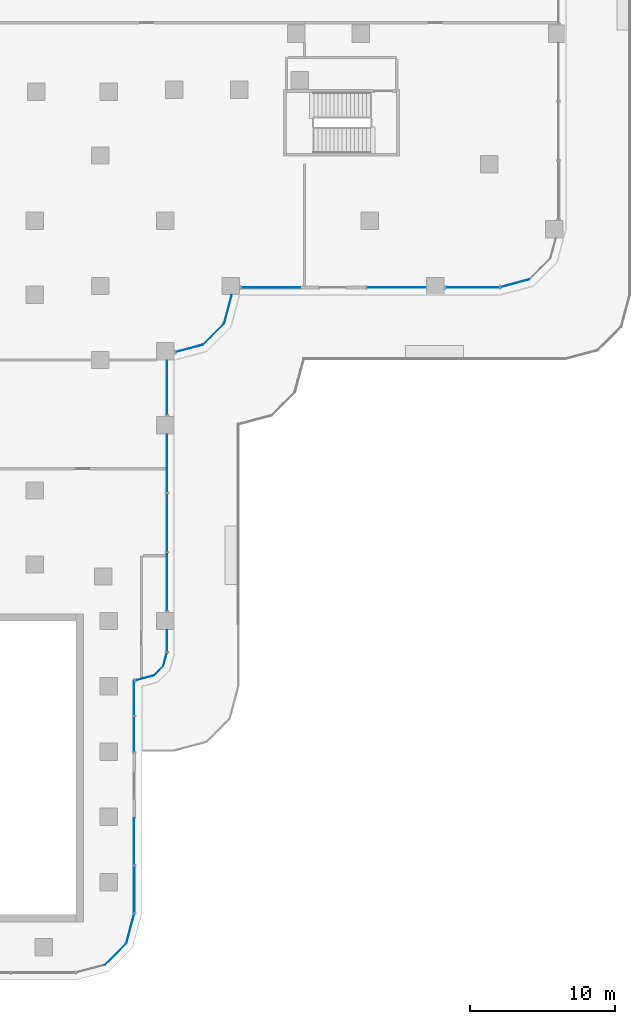
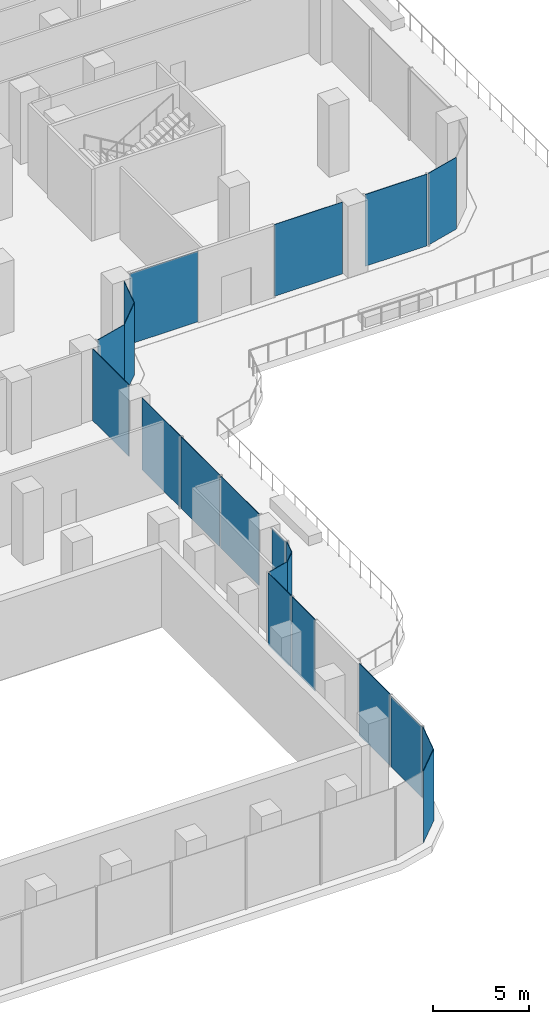
# One storey, part 13 of 29: 21 plates, 12 elements without a shape of their own.
"""IFC4 building model written with IfcOpenShell, lengths in metres."""

from ifc_helpers import new_model, si_unit, direction, frame, origin, place, context, subcontext, project, spatial, polyline, outline, extrude, source, transform, mapped, material, layer, layer_set, type_object, element, aggregate, save


model = new_model("IFC4")

# Units and contexts
model_context = context("Model", 3, precision=1e-05, world=origin(), true_north=direction((0.0, 1.0)))
body_context = subcontext(model_context, "Body", "Model", "MODEL_VIEW")
ifc_project = project(units=[si_unit("LENGTHUNIT", "METRE"), si_unit("AREAUNIT", "SQUARE_METRE"), si_unit("VOLUMEUNIT", "CUBIC_METRE"), si_unit("PLANEANGLEUNIT", "RADIAN"), si_unit("MASSUNIT", "GRAM", prefix="KILO")], contexts=[model_context])

# Site, building, storey
site_placement = place(None, origin())
site = spatial("IfcSite", under=ifc_project, at=site_placement, CompositionType="ELEMENT")
building_placement = place(site_placement, origin())
building = spatial("IfcBuilding", under=site, at=building_placement, Name="Zarbagh Exchange Tower", CompositionType="ELEMENT")
storey_placement = place(building_placement, frame((0.0, 0.0, 12.0)))
storey = spatial("IfcBuildingStorey", under=building, at=storey_placement, Name="L02", CompositionType="ELEMENT", Elevation=12.0)

# Curtain wall, plate
ifc_material_1 = material(Name="Anodised aluminium frame and glazing", Category="aluminium")
curtain_wall_type_1 = type_object("IfcCurtainWallType", Name="CWD Exchange hall wall glazing", PredefinedType="NOTDEFINED", material=ifc_material_1)
curtain_wall_1_placement = place(storey_placement, origin())
curtain_wall_1 = element("IfcCurtainWall", 1, at=curtain_wall_1_placement, inside=storey, type_object=curtain_wall_type_1, Name="CWD02 curtain wall", PredefinedType="NOTDEFINED")
ifc_material_2 = material(Name="Low-e double glazed unit, 6+12+6 mm")
ifc_layer_1 = layer(ifc_material_2, 0.035888671875)
ifc_layer_set_1 = layer_set([ifc_layer_1], Name="PAD Glazing panel, Low-e double glazed unit, 6+12+6 mm")
plate_type_1 = type_object("IfcPlateType", Name="PAD Glazing panel, Low-e double glazed unit, 6+12+6 mm", PredefinedType="CURTAIN_PANEL", material=ifc_layer_set_1)
shared_shape_1 = source(origin(), body_context, "Body", "SweptSolid", [
    extrude(outline(polyline([(0.0, -0.01806640625), (2.061279296875, -0.01806640625), (2.061279296875, 0.01806640625), (0.0, 0.01806640625), (0.0, -0.01806640625)])), origin(), (0.0, 0.0, 1.0), 4.550048828125),
])
placement = place(storey_placement, origin())
plate_1 = element("IfcPlate", 2, at=placement, type_object=plate_type_1, Name="CWD02 glazing panel 1.1", PredefinedType="CURTAIN_PANEL", context=body_context, shape_type="MappedRepresentation", body=[
    mapped(shared_shape_1, transform((15.4912109375, -66.44873046875, 0.0), x_axis=(0.707106781187, 0.707106781187, 0.0), y_axis=(-0.707106781187, 0.707106781187, 0.0), z_axis=(0.0, 0.0, 1.0))),
])
aggregate(curtain_wall_1, [plate_1])

curtain_wall_2_placement = place(storey_placement, origin())
curtain_wall_2 = element("IfcCurtainWall", 3, at=curtain_wall_2_placement, inside=storey, type_object=curtain_wall_type_1, Name="CWD03 curtain wall", PredefinedType="NOTDEFINED")
shared_shape_2 = source(origin(), body_context, "Body", "SweptSolid", [
    extrude(outline(polyline([(0.0, -0.01806640625), (2.129638671875, -0.01806640625), (2.129638671875, 0.01806640625), (0.0, 0.01806640625), (0.0, -0.01806640625)])), origin(), (0.0, 0.0, 1.0), 4.550048828125),
])
plate_2 = element("IfcPlate", 4, at=placement, type_object=plate_type_1, Name="CWD03 glazing panel 1.1", PredefinedType="CURTAIN_PANEL", context=body_context, shape_type="MappedRepresentation", body=[
    mapped(shared_shape_2, transform((16.94873046875, -64.9912109375, 0.0), x_axis=(0.258824779902, 0.965924289636, 0.0), y_axis=(-0.965924289636, 0.258824779902, 0.0), z_axis=(0.0, 0.0, 1.0))),
])
aggregate(curtain_wall_2, [plate_2])

curtain_wall_type_2 = type_object("IfcCurtainWallType", Name="CWC Podium garden-wall glazing", PredefinedType="NOTDEFINED", material=ifc_material_1)
curtain_wall_3_placement = place(storey_placement, origin())
curtain_wall_3 = element("IfcCurtainWall", 5, at=curtain_wall_3_placement, inside=storey, type_object=curtain_wall_type_2, Name="CWC107 curtain wall", PredefinedType="NOTDEFINED")
ifc_layer_2 = layer(ifc_material_2, 0.031982421875)
ifc_layer_set_2 = layer_set([ifc_layer_2], Name="PAC Glazing panel, Low-e double glazed unit, 6+12+6 mm")
plate_type_2 = type_object("IfcPlateType", Name="PAC Glazing panel, Low-e double glazed unit, 6+12+6 mm", PredefinedType="CURTAIN_PANEL", material=ifc_layer_set_2)
shared_shape_3 = source(origin(), body_context, "Body", "SweptSolid", [
    extrude(outline(polyline([(0.0, -0.01611328125), (2.049560546875, -0.01611328125), (2.049560546875, 0.01611328125), (0.0, 0.01611328125), (0.0, -0.01611328125)])), origin(), (0.0, 0.0, 1.0), 4.550048828125),
])
plate_3 = element("IfcPlate", 6, at=placement, type_object=plate_type_2, Name="CWC107 glazing panel 1.1", PredefinedType="CURTAIN_PANEL", context=body_context, shape_type="MappedRepresentation", body=[
    mapped(shared_shape_3, transform((42.761474609375, -19.729248046875, 0.0), x_axis=(0.965924289636, 0.258824779902, 0.0), y_axis=(-0.258824779902, 0.965924289636, 0.0), z_axis=(0.0, 0.0, 1.0))),
])
aggregate(curtain_wall_3, [plate_3])

curtain_wall_4_placement = place(storey_placement, origin())
curtain_wall_4 = element("IfcCurtainWall", 7, at=curtain_wall_4_placement, inside=storey, type_object=curtain_wall_type_2, Name="CWC104 curtain wall", PredefinedType="NOTDEFINED")
shared_shape_4 = source(origin(), body_context, "Body", "SweptSolid", [
    extrude(outline(polyline([(0.0, -0.01611328125), (2.061279296875, -0.01611328125), (2.061279296875, 0.01611328125), (0.0, 0.01611328125), (0.0, -0.01611328125)])), origin(), (0.0, 0.0, 1.0), 4.550048828125),
])
plate_4 = element("IfcPlate", 8, at=placement, type_object=plate_type_2, Name="CWC104 glazing panel 1.1", PredefinedType="CURTAIN_PANEL", context=body_context, shape_type="MappedRepresentation", body=[
    mapped(shared_shape_4, transform((22.2412109375, -23.69873046875, 0.0), x_axis=(0.707106781187, 0.707106781187, 0.0), y_axis=(-0.707106781187, 0.707106781187, 0.0), z_axis=(0.0, 0.0, 1.0))),
])
aggregate(curtain_wall_4, [plate_4])

# Curtain wall, plates
curtain_wall_5_placement = place(storey_placement, origin())
curtain_wall_5 = element("IfcCurtainWall", 9, at=curtain_wall_5_placement, inside=storey, type_object=curtain_wall_type_2, Name="CWC102 curtain wall", PredefinedType="NOTDEFINED")
shared_shape_5 = source(origin(), body_context, "Body", "SweptSolid", [
    extrude(outline(polyline([(0.0, -0.01611328125), (3.993408203125, -0.01611328125), (3.993408203125, 0.01611328125), (0.0, 0.01611328125), (0.0, -0.01611328125)])), origin(), (0.0, 0.0, 1.0), 4.550048828125),
])
plate_5 = element("IfcPlate", 10, at=placement, type_object=plate_type_2, Name="CWC102 glazing panel 2.1", PredefinedType="CURTAIN_PANEL", context=body_context, shape_type="MappedRepresentation", body=[
    mapped(shared_shape_5, transform((19.75, -42.030029296875, 0.0), x_axis=(0.0, 1.0, 0.0), y_axis=(-1.0, 0.0, 0.0), z_axis=(0.0, 0.0, 1.0))),
])
plate_6 = element("IfcPlate", 11, at=placement, type_object=plate_type_2, Name="CWC102 glazing panel 2.2", PredefinedType="CURTAIN_PANEL", context=body_context, shape_type="MappedRepresentation", body=[
    mapped(shared_shape_5, transform((19.75, -37.95654296875, 0.0), x_axis=(0.0, 1.0, 0.0), y_axis=(-1.0, 0.0, 0.0), z_axis=(0.0, 0.0, 1.0))),
])
plate_7 = element("IfcPlate", 12, at=placement, type_object=plate_type_2, Name="CWC102 glazing panel 2.3", PredefinedType="CURTAIN_PANEL", context=body_context, shape_type="MappedRepresentation", body=[
    mapped(shared_shape_5, transform((19.75, -33.88330078125, 0.0), x_axis=(0.0, 1.0, 0.0), y_axis=(-1.0, 0.0, 0.0), z_axis=(0.0, 0.0, 1.0))),
])

# Curtain wall, plate
curtain_wall_6_placement = place(storey_placement, origin())
curtain_wall_6 = element("IfcCurtainWall", 13, at=curtain_wall_6_placement, inside=storey, type_object=curtain_wall_type_2, Name="CWC103 curtain wall", PredefinedType="NOTDEFINED")
shared_shape_6 = source(origin(), body_context, "Body", "SweptSolid", [
    extrude(outline(polyline([(0.0, -0.01611328125), (1.93994140625, -0.01611328125), (1.93994140625, 0.01611328125), (0.0, 0.01611328125), (0.0, -0.01611328125)])), origin(), (0.0, 0.0, 1.0), 4.550048828125),
])
plate_8 = element("IfcPlate", 14, at=placement, type_object=plate_type_2, Name="CWC103 glazing panel 1.1", PredefinedType="CURTAIN_PANEL", context=body_context, shape_type="MappedRepresentation", body=[
    mapped(shared_shape_6, transform((20.367431640625, -24.200927734375, 0.0), x_axis=(0.965924289636, 0.258824779902, 0.0), y_axis=(-0.258824779902, 0.965924289636, 0.0), z_axis=(0.0, 0.0, 1.0))),
])
aggregate(curtain_wall_6, [plate_8])

curtain_wall_7_placement = place(storey_placement, origin())
curtain_wall_7 = element("IfcCurtainWall", 15, at=curtain_wall_7_placement, inside=storey, type_object=curtain_wall_type_2, Name="CWC105 curtain wall", PredefinedType="NOTDEFINED")
shared_shape_7 = source(origin(), body_context, "Body", "SweptSolid", [
    extrude(outline(polyline([(0.0, -0.01611328125), (2.02001953125, -0.01611328125), (2.02001953125, 0.01611328125), (0.0, 0.01611328125), (0.0, -0.01611328125)])), origin(), (0.0, 0.0, 1.0), 4.550048828125),
])
plate_9 = element("IfcPlate", 16, at=placement, type_object=plate_type_2, Name="CWC105 glazing panel 1.1", PredefinedType="CURTAIN_PANEL", context=body_context, shape_type="MappedRepresentation", body=[
    mapped(shared_shape_7, transform((23.69873046875, -22.2412109375, 0.0), x_axis=(0.258824779902, 0.965924289636, 0.0), y_axis=(-0.965924289636, 0.258824779902, 0.0), z_axis=(0.0, 0.0, 1.0))),
])
aggregate(curtain_wall_7, [plate_9])

curtain_wall_8_placement = place(storey_placement, origin())
curtain_wall_8 = element("IfcCurtainWall", 17, at=curtain_wall_8_placement, inside=storey, type_object=curtain_wall_type_2, Name="CWC106 curtain wall", PredefinedType="NOTDEFINED")
shared_shape_8 = source(origin(), body_context, "Body", "SweptSolid", [
    extrude(outline(polyline([(0.0, -0.01611328125), (3.714111328125, -0.01611328125), (3.714111328125, 0.01611328125), (0.0, 0.01611328125), (0.0, -0.01611328125)])), origin(), (0.0, 0.0, 1.0), 4.550048828125),
])
plate_10 = element("IfcPlate", 18, at=placement, type_object=plate_type_2, Name="CWC106 glazing panel 3.1", PredefinedType="CURTAIN_PANEL", context=body_context, shape_type="MappedRepresentation", body=[
    mapped(shared_shape_8, transform((38.969970703125, -19.75, 0.0), x_axis=(1.0, 0.0, 0.0), y_axis=(0.0, 1.0, 0.0), z_axis=(0.0, 0.0, 1.0))),
])

# Plate
shared_shape_9 = source(origin(), body_context, "Body", "SweptSolid", [
    extrude(outline(polyline([(0.0, -0.01611328125), (3.739990234375, -0.01611328125), (3.739990234375, 0.01611328125), (0.0, 0.01611328125), (0.0, -0.01611328125)])), origin(), (0.0, 0.0, 1.0), 4.550048828125),
])
plate_11 = element("IfcPlate", 19, at=placement, type_object=plate_type_2, Name="CWC102 glazing panel 3.1", PredefinedType="CURTAIN_PANEL", context=body_context, shape_type="MappedRepresentation", body=[
    mapped(shared_shape_9, transform((19.75, -28.530029296875, 0.0), x_axis=(0.0, 1.0, 0.0), y_axis=(-1.0, 0.0, 0.0), z_axis=(0.0, 0.0, 1.0))),
])

shared_shape_10 = source(origin(), body_context, "Body", "SweptSolid", [
    extrude(outline(polyline([(0.0, -0.01611328125), (4.080078125, -0.01611328125), (4.080078125, 0.01611328125), (0.0, 0.01611328125), (0.0, -0.01611328125)])), origin(), (0.0, 0.0, 1.0), 4.550048828125),
])
plate_12 = element("IfcPlate", 20, at=placement, type_object=plate_type_2, Name="CWC106 glazing panel 2.1", PredefinedType="CURTAIN_PANEL", context=body_context, shape_type="MappedRepresentation", body=[
    mapped(shared_shape_10, transform((33.530029296875, -19.75, 0.0), x_axis=(1.0, 0.0, 0.0), y_axis=(0.0, 1.0, 0.0), z_axis=(0.0, 0.0, 1.0))),
])

# Curtain wall, plates
curtain_wall_9_placement = place(storey_placement, origin())
curtain_wall_9 = element("IfcCurtainWall", 21, at=curtain_wall_9_placement, inside=storey, type_object=curtain_wall_type_1, Name="CWD12 curtain wall", PredefinedType="NOTDEFINED")
shared_shape_11 = source(origin(), body_context, "Body", "SweptSolid", [
    extrude(outline(polyline([(0.0, -0.01806640625), (3.2119140625, -0.01806640625), (3.2119140625, 0.01806640625), (0.0, 0.01806640625), (0.0, -0.01806640625)])), origin(), (0.0, 0.0, 1.0), 4.469970703125),
])
plate_13 = element("IfcPlate", 22, at=placement, type_object=plate_type_1, Name="CWD12 glazing panel 1.1", PredefinedType="CURTAIN_PANEL", context=body_context, shape_type="MappedRepresentation", body=[
    mapped(shared_shape_11, transform((17.5, -62.854248046875, 0.0), x_axis=(0.0, 1.0, 0.0), y_axis=(-1.0, 0.0, 0.0), z_axis=(0.0, 0.0, 1.0))),
])
shared_shape_12 = source(origin(), body_context, "Body", "SweptSolid", [
    extrude(outline(polyline([(0.0, -0.01806640625), (3.2119140625, -0.01806640625), (3.2119140625, 0.01806640625), (0.0, 0.01806640625), (0.0, -0.01806640625)])), origin(), (0.0, 0.0, 1.0), 4.550048828125),
])
plate_14 = element("IfcPlate", 23, at=placement, type_object=plate_type_1, Name="CWD12 glazing panel 1.2", PredefinedType="CURTAIN_PANEL", context=body_context, shape_type="MappedRepresentation", body=[
    mapped(shared_shape_12, transform((17.5, -59.562255859375, 0.0), x_axis=(0.0, 1.0, 0.0), y_axis=(-1.0, 0.0, 0.0), z_axis=(0.0, 0.0, 1.0))),
])
shared_shape_13 = source(origin(), body_context, "Body", "SweptSolid", [
    extrude(outline(polyline([(0.0, -0.01806640625), (2.411865234375, -0.01806640625), (2.411865234375, 0.01806640625), (0.0, 0.01806640625), (0.0, -0.01806640625)])), origin(), (0.0, 0.0, 1.0), 4.550048828125),
])
plate_15 = element("IfcPlate", 24, at=placement, type_object=plate_type_1, Name="CWD12 glazing panel 2.1", PredefinedType="CURTAIN_PANEL", context=body_context, shape_type="MappedRepresentation", body=[
    mapped(shared_shape_13, transform((17.5, -51.770263671875, 0.0), x_axis=(0.0, 1.0, 0.0), y_axis=(-1.0, 0.0, 0.0), z_axis=(0.0, 0.0, 1.0))),
])
plate_16 = element("IfcPlate", 25, at=placement, type_object=plate_type_1, Name="CWD12 glazing panel 2.2", PredefinedType="CURTAIN_PANEL", context=body_context, shape_type="MappedRepresentation", body=[
    mapped(shared_shape_13, transform((17.5, -49.2783203125, 0.0), x_axis=(0.0, 1.0, 0.0), y_axis=(-1.0, 0.0, 0.0), z_axis=(0.0, 0.0, 1.0))),
])
aggregate(curtain_wall_9, [plate_13, plate_14, plate_15, plate_16])

# Curtain wall, plate
curtain_wall_10_placement = place(storey_placement, origin())
curtain_wall_10 = element("IfcCurtainWall", 26, at=curtain_wall_10_placement, inside=storey, type_object=curtain_wall_type_2, Name="CWC99 curtain wall", PredefinedType="NOTDEFINED")
shared_shape_14 = source(origin(), body_context, "Body", "SweptSolid", [
    extrude(outline(polyline([(0.0, -0.01611328125), (1.33447265625, -0.01611328125), (1.33447265625, 0.01611328125), (0.0, 0.01611328125), (0.0, -0.01611328125)])), origin(), (0.0, 0.0, 1.0), 4.550048828125),
])
plate_17 = element("IfcPlate", 27, at=placement, type_object=plate_type_2, Name="CWC99 glazing panel 1.1", PredefinedType="CURTAIN_PANEL", context=body_context, shape_type="MappedRepresentation", body=[
    mapped(shared_shape_14, transform((17.577392578125, -46.845703125, 0.0), x_axis=(0.965935021701, 0.25878472492, 0.0), y_axis=(-0.25878472492, 0.965935021701, 0.0), z_axis=(0.0, 0.0, 1.0))),
])
aggregate(curtain_wall_10, [plate_17])

curtain_wall_11_placement = place(storey_placement, origin())
curtain_wall_11 = element("IfcCurtainWall", 28, at=curtain_wall_11_placement, inside=storey, type_object=curtain_wall_type_2, Name="CWC100 curtain wall", PredefinedType="NOTDEFINED")
shared_shape_15 = source(origin(), body_context, "Body", "SweptSolid", [
    extrude(outline(polyline([(0.0, -0.01611328125), (0.896728515625, -0.01611328125), (0.896728515625, 0.01611328125), (0.0, 0.01611328125), (0.0, -0.01611328125)])), origin(), (0.0, 0.0, 1.0), 4.550048828125),
])
plate_18 = element("IfcPlate", 29, at=placement, type_object=plate_type_2, Name="CWC100 glazing panel 1.1", PredefinedType="CURTAIN_PANEL", context=body_context, shape_type="MappedRepresentation", body=[
    mapped(shared_shape_15, transform((18.8662109375, -46.500244140625, 0.0), x_axis=(0.707106781187, 0.707106781187, 0.0), y_axis=(-0.707106781187, 0.707106781187, 0.0), z_axis=(0.0, 0.0, 1.0))),
])
aggregate(curtain_wall_11, [plate_18])

curtain_wall_12_placement = place(storey_placement, origin())
curtain_wall_12 = element("IfcCurtainWall", 30, at=curtain_wall_12_placement, inside=storey, type_object=curtain_wall_type_2, Name="CWC101 curtain wall", PredefinedType="NOTDEFINED")
shared_shape_16 = source(origin(), body_context, "Body", "SweptSolid", [
    extrude(outline(polyline([(0.0, -0.01611328125), (0.96484375, -0.01611328125), (0.96484375, 0.01611328125), (0.0, 0.01611328125), (0.0, -0.01611328125)])), origin(), (0.0, 0.0, 1.0), 4.550048828125),
])
plate_19 = element("IfcPlate", 31, at=placement, type_object=plate_type_2, Name="CWC101 glazing panel 1.1", PredefinedType="CURTAIN_PANEL", context=body_context, shape_type="MappedRepresentation", body=[
    mapped(shared_shape_16, transform((19.500244140625, -45.8662109375, 0.0), x_axis=(0.25878472492, 0.965935021701, 0.0), y_axis=(-0.965935021701, 0.25878472492, 0.0), z_axis=(0.0, 0.0, 1.0))),
])
aggregate(curtain_wall_12, [plate_19])

# Plate
shared_shape_17 = source(origin(), body_context, "Body", "SweptSolid", [
    extrude(outline(polyline([(0.0, -0.01611328125), (1.464111328125, -0.01611328125), (1.464111328125, 0.01611328125), (0.0, 0.01611328125), (0.0, -0.01611328125)])), origin(), (0.0, 0.0, 1.0), 4.469970703125),
])
plate_20 = element("IfcPlate", 32, at=placement, type_object=plate_type_2, Name="CWC102 glazing panel 1.1", PredefinedType="CURTAIN_PANEL", context=body_context, shape_type="MappedRepresentation", body=[
    mapped(shared_shape_17, transform((19.75, -44.854248046875, 0.0), x_axis=(0.0, 1.0, 0.0), y_axis=(-1.0, 0.0, 0.0), z_axis=(0.0, 0.0, 1.0))),
])

aggregate(curtain_wall_5, [plate_20, plate_5, plate_6, plate_7, plate_11])

shared_shape_18 = source(origin(), body_context, "Body", "SweptSolid", [
    extrude(outline(polyline([(0.0, -0.01611328125), (4.080078125, -0.01611328125), (4.080078125, 0.01611328125), (0.0, 0.01611328125), (0.0, -0.01611328125)])), origin(), (0.0, 0.0, 1.0), 4.469970703125),
])
plate_21 = element("IfcPlate", 33, at=placement, type_object=plate_type_2, Name="CWC106 glazing panel 1.1", PredefinedType="CURTAIN_PANEL", context=body_context, shape_type="MappedRepresentation", body=[
    mapped(shared_shape_18, transform((24.8701171875, -19.75, 0.0), x_axis=(1.0, 0.0, 0.0), y_axis=(0.0, 1.0, 0.0), z_axis=(0.0, 0.0, 1.0))),
])

aggregate(curtain_wall_8, [plate_21, plate_12, plate_10])

save(model, "model.ifc")
